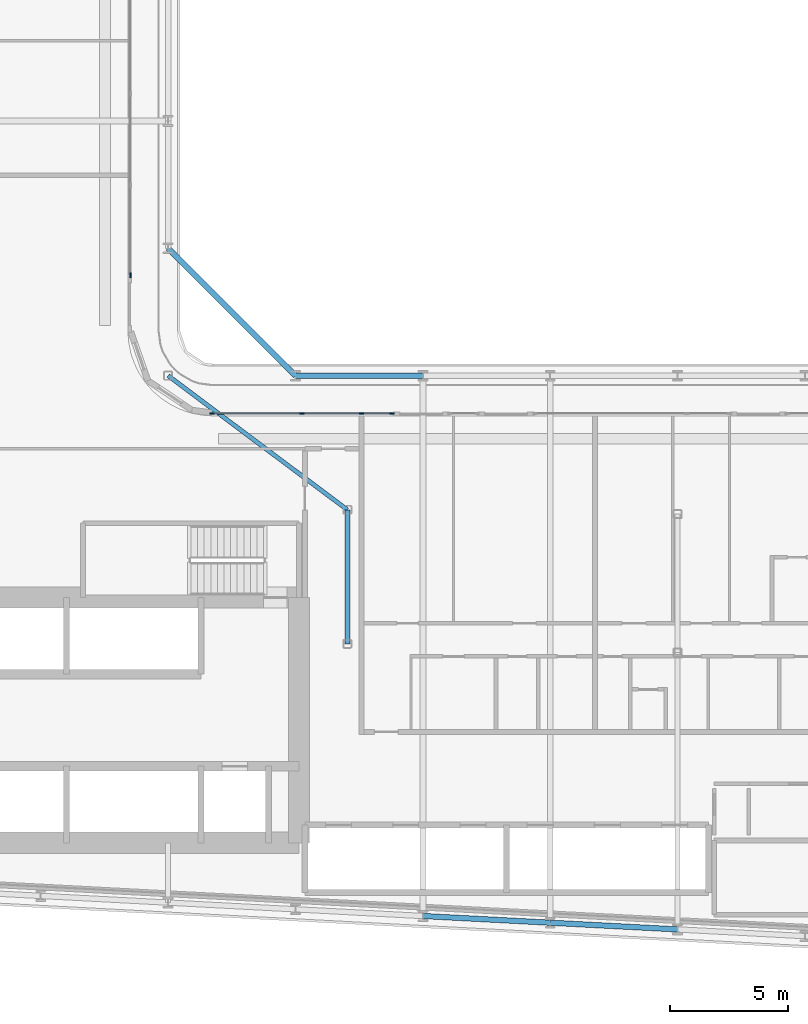
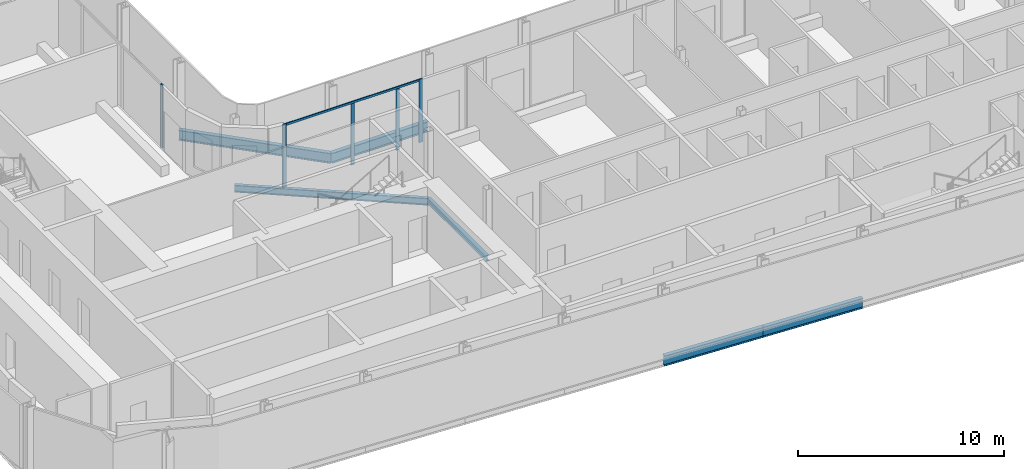
# One storey, part 4 of 28: 6 beams, 6 members, 2 elements without a shape of their own.
"""IFC4 building model written with IfcOpenShell, lengths in metres."""

from ifc_helpers import new_model, si_unit, direction, frame, origin, origin_2d, place, context, subcontext, project, spatial, rectangle, i_section, extrude, material, layer, layer_set, material_profile, profile_set, type_object, element, aggregate, save


model = new_model("IFC4")

# Units and contexts
model_context = context("Model", 3, precision=1e-05, world=origin(), true_north=direction((0.0, 1.0)))
body_context = subcontext(model_context, "Body", "Model", "MODEL_VIEW")
ifc_project = project(units=[si_unit("LENGTHUNIT", "METRE"), si_unit("AREAUNIT", "SQUARE_METRE"), si_unit("VOLUMEUNIT", "CUBIC_METRE"), si_unit("PLANEANGLEUNIT", "RADIAN"), si_unit("MASSUNIT", "GRAM", prefix="KILO")], contexts=[model_context])

# Site, building, storey
site_placement = place(None, origin())
site = spatial("IfcSite", under=ifc_project, at=site_placement, CompositionType="ELEMENT")
building_placement = place(site_placement, origin())
building = spatial("IfcBuilding", under=site, at=building_placement, Name="Kheshtan School and Residences Tower", CompositionType="ELEMENT")
storey_placement = place(building_placement, frame((0.0, 0.0, 133.10009765625)))
storey = spatial("IfcBuildingStorey", under=building, at=storey_placement, Name="L31", CompositionType="ELEMENT", Elevation=133.10009765625)

# Beams
ifc_material_1 = material(Name="Steel ASTM A992 Grade 50", Category="steel")
ifc_material_profile_1 = material_profile(ifc_material_1, i_section(OverallWidth=0.202880859375, OverallDepth=0.302978515625, WebThickness=0.007568359375, FlangeThickness=0.01318359375, FilletRadius=0.009033203125, at=origin_2d()), Name="W310x60")
ifc_profile_set_1 = profile_set([ifc_material_profile_1], Name="Steel ASTM A992 Grade 50")
beam_type_1 = type_object("IfcBeamType", Name="Beam FB1 W310x60 ASTM A992 Grade 50", PredefinedType="BEAM", material=ifc_profile_set_1)
beam_1_placement = place(storey_placement, frame((55.199951171875, 34.23193359375, -0.301513671875), z_axis=(0.0, 1.0, 0.0), x_axis=(-1.0, 0.0, 0.0)))
element("IfcBeam", 1, at=beam_1_placement, inside=storey, type_object=beam_type_1, Name="Floor beam IC", PredefinedType="BEAM", context=body_context, shape_type="SweptSolid", body=[
    extrude(i_section(OverallWidth=0.202880859375, OverallDepth=0.302978515625, WebThickness=0.007568359375, FlangeThickness=0.01318359375, FilletRadius=0.009033203125, at=origin_2d()), origin(), (0.0, 0.0, 1.0), 5.68408203125),
])
ifc_material_profile_2 = material_profile(ifc_material_1, i_section(OverallWidth=0.180908203125, OverallDepth=0.4169921875, WebThickness=0.010986328125, FlangeThickness=0.018310546875, FilletRadius=0.012451171875, at=origin_2d()), Name="W410x85")
ifc_profile_set_2 = profile_set([ifc_material_profile_2], Name="Steel ASTM A992 Grade 50")
beam_type_2 = type_object("IfcBeamType", Name="Beam FB3 W410x85 ASTM A992 Grade 50", PredefinedType="BEAM", material=ifc_profile_set_2)
beam_2_placement = place(storey_placement, frame((47.60009765625, 45.60009765625, -0.358642578125), z_axis=(0.800798828004, -0.598933416222, 0.0), x_axis=(0.598933416222, 0.800798828004, 0.0)))
element("IfcBeam", 2, at=beam_2_placement, inside=storey, type_object=beam_type_2, Name="Floor beam IC", PredefinedType="BEAM", context=body_context, shape_type="SweptSolid", body=[
    extrude(i_section(OverallWidth=0.180908203125, OverallDepth=0.4169921875, WebThickness=0.010986328125, FlangeThickness=0.018310546875, FilletRadius=0.012451171875, at=origin_2d()), origin(), (0.0, 0.0, 1.0), 9.490234375),
])
ifc_material_profile_3 = material_profile(ifc_material_1, i_section(OverallWidth=0.22802734375, OverallDepth=0.60302734375, WebThickness=0.010498046875, FlangeThickness=0.014892578125, FilletRadius=0.013427734375, at=origin_2d()), Name="W610x101")
ifc_profile_set_3 = profile_set([ifc_material_profile_3], Name="Steel ASTM A992 Grade 50")
beam_type_3 = type_object("IfcBeamType", Name="Beam SP2 W610x101 ASTM A992 Grade 50", PredefinedType="BEAM", material=ifc_profile_set_3)
beam_3_placement = place(storey_placement, frame((47.60009765625, 51.0, -0.45166015625), z_axis=(0.707106781187, -0.707106781187, 0.0), x_axis=(0.707106781187, 0.707106781187, 0.0)))
element("IfcBeam", 3, at=beam_3_placement, inside=storey, type_object=beam_type_3, Name="Spandrel beam C079-C061", PredefinedType="BEAM", context=body_context, shape_type="SweptSolid", body=[
    extrude(i_section(OverallWidth=0.22802734375, OverallDepth=0.60302734375, WebThickness=0.010498046875, FlangeThickness=0.014892578125, FilletRadius=0.013427734375, at=origin_2d()), origin(), (0.0, 0.0, 1.0), 7.63671875),
])
beam_4_placement = place(storey_placement, frame((53.0, 45.60009765625, -0.45166015625), z_axis=(1.0, 0.0, 0.0), x_axis=(0.0, 1.0, 0.0)))
element("IfcBeam", 4, at=beam_4_placement, inside=storey, type_object=beam_type_3, Name="Spandrel beam C061-C062", PredefinedType="BEAM", context=body_context, shape_type="SweptSolid", body=[
    extrude(i_section(OverallWidth=0.22802734375, OverallDepth=0.60302734375, WebThickness=0.010498046875, FlangeThickness=0.014892578125, FilletRadius=0.013427734375, at=origin_2d()), origin(), (0.0, 0.0, 1.0), 5.39990234375),
])
beam_5_placement = place(storey_placement, frame((69.199951171875, 22.126953125, -0.45166015625), z_axis=(-0.998620447272, 0.05250906864, 0.0), x_axis=(-0.05250906864, -0.998620447272, 0.0)))
element("IfcBeam", 5, at=beam_5_placement, inside=storey, type_object=beam_type_3, Name="Spandrel beam C014-C016", PredefinedType="BEAM", context=body_context, shape_type="SweptSolid", body=[
    extrude(i_section(OverallWidth=0.22802734375, OverallDepth=0.60302734375, WebThickness=0.010498046875, FlangeThickness=0.014892578125, FilletRadius=0.013427734375, at=origin_2d()), origin(), (0.0, 0.0, 1.0), 5.407470703125),
])
beam_6_placement = place(storey_placement, frame((63.800048828125, 22.410888671875, -0.45166015625), z_axis=(-0.998618203458, 0.052551724256, 0.0), x_axis=(-0.052551724256, -0.998618203458, 0.0)))
element("IfcBeam", 6, at=beam_6_placement, inside=storey, type_object=beam_type_3, Name="Spandrel beam C016-C018", PredefinedType="BEAM", context=body_context, shape_type="SweptSolid", body=[
    extrude(i_section(OverallWidth=0.22802734375, OverallDepth=0.60302734375, WebThickness=0.010498046875, FlangeThickness=0.014892578125, FilletRadius=0.013427734375, at=origin_2d()), origin(), (0.0, 0.0, 1.0), 5.40771484375),
])

# Curtain wall, member
ifc_material_2 = material(Name="Clear low-e glass in thermally broken aluminium frame", Category="aluminium")
ifc_layer = layer(ifc_material_2, 0.199951171875)
ifc_layer_set = layer_set([ifc_layer], Name="Curtain wall CW-L")
curtain_wall_type = type_object("IfcCurtainWallType", Name="Curtain wall CW-L", PredefinedType="NOTDEFINED", material=ifc_layer_set)
curtain_wall_1_placement = place(storey_placement, origin())
curtain_wall_1 = element("IfcCurtainWall", 7, at=curtain_wall_1_placement, inside=storey, type_object=curtain_wall_type, Name="Curtain wall CWL8", PredefinedType="NOTDEFINED")
ifc_material_3 = material(Name="Thermally broken aluminium, dark bronze anodised", Category="aluminium")
ifc_material_profile_4 = material_profile(ifc_material_3, rectangle(XDim=0.06005859375, YDim=0.199951171875, at=origin_2d()), Name="CW-L mullion 60x200")
ifc_profile_set_4 = profile_set([ifc_material_profile_4], Name="Thermally broken aluminium, dark bronze anodised")
member_type_1 = type_object("IfcMemberType", Name="CW-L mullion 60x200", PredefinedType="MULLION", material=ifc_profile_set_4)
member_1_placement = place(storey_placement, frame((46.0, 49.860107421875, 0.0), z_axis=(0.0, 0.0, 1.0), x_axis=(1.0, 0.0, 0.0)))
member_1 = element("IfcMember", 8, at=member_1_placement, type_object=member_type_1, Name="CWL8 mullion 3", PredefinedType="MULLION", context=body_context, shape_type="SweptSolid", body=[
    extrude(rectangle(XDim=0.06005859375, YDim=0.199951171875, at=origin_2d()), origin(), (0.0, 0.0, 1.0), 3.75),
])
aggregate(curtain_wall_1, [member_1])

# Curtain wall, members
curtain_wall_2_placement = place(storey_placement, origin())
curtain_wall_2 = element("IfcCurtainWall", 9, at=curtain_wall_2_placement, inside=storey, type_object=curtain_wall_type, Name="Curtain wall CWL12k", PredefinedType="NOTDEFINED")
member_2_placement = place(storey_placement, frame((49.4599609375, 44.0, 0.0), z_axis=(0.0, 0.0, 1.0), x_axis=(0.0, 1.0, 0.0)))
member_2 = element("IfcMember", 10, at=member_2_placement, type_object=member_type_1, Name="CWL12k mullion 1", PredefinedType="MULLION", context=body_context, shape_type="SweptSolid", body=[
    extrude(rectangle(XDim=0.06005859375, YDim=0.199951171875, at=origin_2d()), origin(), (0.0, 0.0, 1.0), 3.75),
])
member_3_placement = place(storey_placement, frame((53.277099609375, 44.0, 0.0), z_axis=(0.0, 0.0, 1.0), x_axis=(0.0, 1.0, 0.0)))
member_3 = element("IfcMember", 11, at=member_3_placement, type_object=member_type_1, Name="CWL12k mullion 2", PredefinedType="MULLION", context=body_context, shape_type="SweptSolid", body=[
    extrude(rectangle(XDim=0.06005859375, YDim=0.199951171875, at=origin_2d()), origin(), (0.0, 0.0, 1.0), 3.6298828125),
])
member_4_placement = place(storey_placement, frame((55.800048828125, 44.0, 0.0), z_axis=(0.0, 0.0, 1.0), x_axis=(0.0, 1.0, 0.0)))
member_4 = element("IfcMember", 12, at=member_4_placement, type_object=member_type_1, Name="CWL12k mullion 3", PredefinedType="MULLION", context=body_context, shape_type="SweptSolid", body=[
    extrude(rectangle(XDim=0.06005859375, YDim=0.199951171875, at=origin_2d()), origin(), (0.0, 0.0, 1.0), 3.6298828125),
])
member_5_placement = place(storey_placement, frame((57.093994140625, 44.0, 0.0), z_axis=(0.0, 0.0, 1.0), x_axis=(0.0, 1.0, 0.0)))
member_5 = element("IfcMember", 13, at=member_5_placement, type_object=member_type_1, Name="CWL12k mullion 4", PredefinedType="MULLION", context=body_context, shape_type="SweptSolid", body=[
    extrude(rectangle(XDim=0.06005859375, YDim=0.199951171875, at=origin_2d()), origin(), (0.0, 0.0, 1.0), 3.75),
])
ifc_material_profile_5 = material_profile(ifc_material_3, rectangle(XDim=0.06005859375, YDim=0.1201171875, at=origin_2d()), Name="CW-L transom 60x120")
ifc_profile_set_5 = profile_set([ifc_material_profile_5], Name="Thermally broken aluminium, dark bronze anodised")
member_type_2 = type_object("IfcMemberType", Name="CW-L transom 60x120", PredefinedType="USERDEFINED", material=ifc_profile_set_5)
member_6_placement = place(storey_placement, frame((49.489990234375, 44.0, 3.68994140625), z_axis=(1.0, 0.0, 0.0), x_axis=(0.0, 1.0, 0.0)))
member_6 = element("IfcMember", 14, at=member_6_placement, type_object=member_type_2, Name="CWL12k transom 1", ObjectType="TRANSOM", PredefinedType="USERDEFINED", context=body_context, shape_type="SweptSolid", body=[
    extrude(rectangle(XDim=0.06005859375, YDim=0.1201171875, at=origin_2d()), origin(), (0.0, 0.0, 1.0), 7.573974609375),
])
aggregate(curtain_wall_2, [member_2, member_3, member_4, member_5, member_6])

save(model, "model.ifc")
